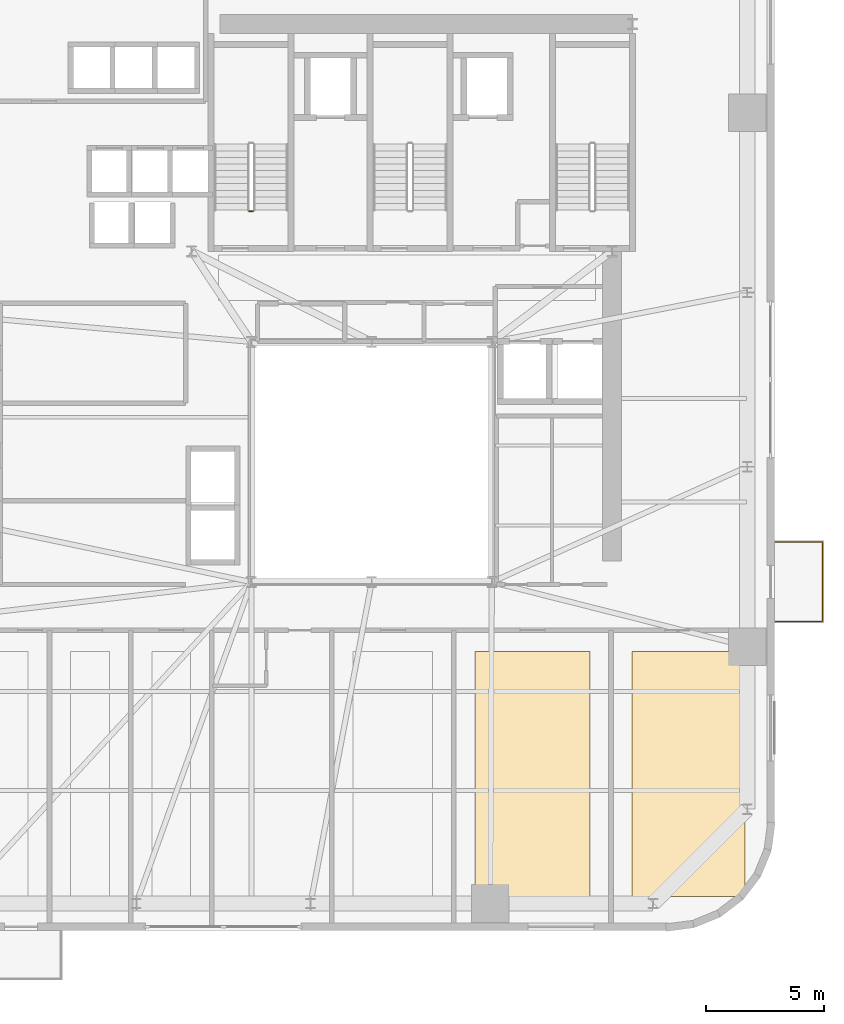
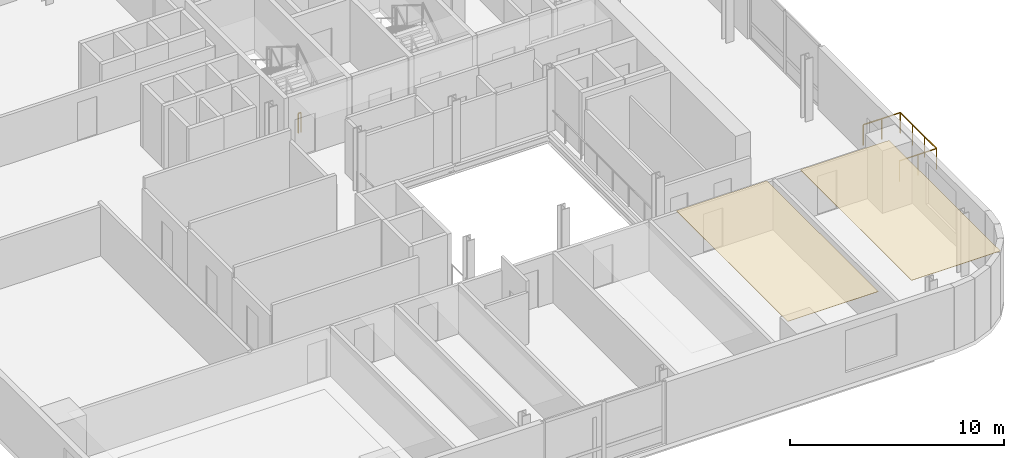
# One storey, part 11 of 14: 2 coverings, 2 railings.
"""IFC4 building model written with IfcOpenShell, lengths in metres."""

from ifc_helpers import new_model, si_unit, direction, frame, origin, origin_2d, place, context, subcontext, project, spatial, polyline, rectangle, outline, extrude, source, transform, mapped, material, layer, layer_set, type_object, element, save


model = new_model("IFC4")

# Units and contexts
model_context = context("Model", 3, precision=1e-05, world=origin(), true_north=direction((0.0, 1.0)))
body_context = subcontext(model_context, "Body", "Model", "MODEL_VIEW")
ifc_project = project(units=[si_unit("LENGTHUNIT", "METRE"), si_unit("AREAUNIT", "SQUARE_METRE"), si_unit("VOLUMEUNIT", "CUBIC_METRE"), si_unit("PLANEANGLEUNIT", "RADIAN"), si_unit("MASSUNIT", "GRAM", prefix="KILO")], contexts=[model_context])

# Site, building, storey
site_placement = place(None, origin())
site = spatial("IfcSite", under=ifc_project, at=site_placement, CompositionType="ELEMENT")
building_placement = place(site_placement, origin())
building = spatial("IfcBuilding", under=site, at=building_placement, Name="Vardaveli Station Tower", CompositionType="ELEMENT")
storey_placement = place(building_placement, frame((0.0, 0.0, 103.699951171875)))
storey = spatial("IfcBuildingStorey", under=building, at=storey_placement, Name="L26", CompositionType="ELEMENT", Elevation=103.699951171875)

# Coverings
ifc_material_1 = material(Name="Perforated acoustic mineral ceiling")
ifc_layer = layer(ifc_material_1, 0.02001953125, Name="Perforated acoustic mineral ceiling")
ifc_layer_set = layer_set([ifc_layer], Name="Perforated acoustic mineral ceiling")
covering_type = type_object("IfcCoveringType", Name="COV-CEIL-AC20", PredefinedType="CEILING", material=ifc_layer_set)
covering_1_placement = place(storey_placement, frame((0.0, 0.0, 3.545166015625)))
element("IfcCovering", 1, at=covering_1_placement, inside=storey, type_object=covering_type, Name="CEIL-L26-5", PredefinedType="CEILING", context=body_context, shape_type="SweptSolid", body=[
    extrude(outline(polyline([(40.685302734375, 3.25), (45.564208984375, 3.25), (45.564208984375, 13.64990234375), (40.685302734375, 13.64990234375), (40.685302734375, 3.25)])), origin(), (0.0, 0.0, 1.0), 0.019775390625),
])
covering_2_placement = place(storey_placement, frame((0.0, 0.0, 3.545166015625)))
element("IfcCovering", 2, at=covering_2_placement, inside=storey, type_object=covering_type, Name="CEIL-L26-6", PredefinedType="CEILING", context=body_context, shape_type="SweptSolid", body=[
    extrude(outline(polyline([(47.3642578125, 3.25), (52.14990234375, 3.25), (52.14990234375, 13.64990234375), (47.3642578125, 13.64990234375), (47.3642578125, 3.25)])), origin(), (0.0, 0.0, 1.0), 0.019775390625),
])

# Railings
ifc_material_2 = material(Name="Laminated glass and stainless steel balustrade", Category="steel")
railing_type_1 = type_object("IfcRailingType", Name="RL-BAL-1200", PredefinedType="BALUSTRADE", material=ifc_material_2)
shared_shape_1 = source(origin(), body_context, "Body", "SweptSolid", [
    extrude(rectangle(XDim=0.048095703125, YDim=0.048095703125, at=origin_2d()), frame((0.0, 0.0, 1.17578125), z_axis=(1.0, 0.0, 0.0), x_axis=(0.0, 1.0, 0.0)), (0.0, 0.0, 1.0), 2.0),
    extrude(rectangle(XDim=0.048095703125, YDim=0.048095703125, at=origin_2d()), frame((2.0, 0.0, 1.17578125), z_axis=(0.0, 1.0, 0.0), x_axis=(-1.0, 0.0, 0.0)), (0.0, 0.0, 1.0), 3.3798828125),
    extrude(rectangle(XDim=0.048095703125, YDim=0.048095703125, at=origin_2d()), frame((2.0, 3.3798828125, 1.17578125), z_axis=(-1.0, 0.0, 0.0), x_axis=(0.0, -1.0, 0.0)), (0.0, 0.0, 1.0), 2.0),
    extrude(rectangle(XDim=0.0419921875, YDim=0.0419921875, at=origin_2d()), origin(), (0.0, 0.0, 1.0), 1.15185546875),
    extrude(rectangle(XDim=0.0419921875, YDim=0.0419921875, at=origin_2d()), frame((1.0, 0.0, 0.0)), (0.0, 0.0, 1.0), 1.15185546875),
    extrude(rectangle(XDim=0.0419921875, YDim=0.0419921875, at=origin_2d()), frame((2.0, 0.0, 0.0)), (0.0, 0.0, 1.0), 1.15185546875),
    extrude(rectangle(XDim=0.0419921875, YDim=0.0419921875, at=origin_2d()), frame((2.0, 1.126708984375, 0.0)), (0.0, 0.0, 1.0), 1.15185546875),
    extrude(rectangle(XDim=0.0419921875, YDim=0.0419921875, at=origin_2d()), frame((2.0, 2.253173828125, 0.0)), (0.0, 0.0, 1.0), 1.15185546875),
    extrude(rectangle(XDim=0.0419921875, YDim=0.0419921875, at=origin_2d()), frame((2.0, 3.3798828125, 0.0)), (0.0, 0.0, 1.0), 1.15185546875),
    extrude(rectangle(XDim=0.0419921875, YDim=0.0419921875, at=origin_2d()), frame((1.0, 3.3798828125, 0.0)), (0.0, 0.0, 1.0), 1.15185546875),
    extrude(rectangle(XDim=0.0419921875, YDim=0.0419921875, at=origin_2d()), frame((0.0, 3.3798828125, 0.0)), (0.0, 0.0, 1.0), 1.15185546875),
])
railing_1_placement = place(storey_placement, frame((53.43994140625, 14.92041015625, 0.0)))
element("IfcRailing", 3, at=railing_1_placement, inside=storey, type_object=railing_type_1, Name="RL-LOG-L26-04", PredefinedType="BALUSTRADE", context=body_context, shape_type="MappedRepresentation", body=[
    mapped(shared_shape_1, transform((0.0, 0.0, 0.0), scale=1.0)),
])
ifc_material_3 = material(Name="Brushed AISI 316 stainless steel", Category="steel")
railing_type_2 = type_object("IfcRailingType", Name="RL-GUARD-1150", PredefinedType="GUARDRAIL", material=ifc_material_3)
shared_shape_2 = source(origin(), body_context, "Body", "SweptSolid", [
    extrude(rectangle(XDim=0.048095703125, YDim=0.048095703125, at=origin_2d()), frame((0.0, 0.0, 1.1259765625), z_axis=(-1.0, 0.0, 0.0), x_axis=(0.0, -1.0, 0.0)), (0.0, 0.0, 1.0), 0.14990234375),
    extrude(rectangle(XDim=0.0419921875, YDim=0.0419921875, at=origin_2d()), origin(), (0.0, 0.0, 1.0), 1.101806640625),
    extrude(rectangle(XDim=0.0419921875, YDim=0.0419921875, at=origin_2d()), frame((-0.14990234375, 0.0, 0.0)), (0.0, 0.0, 1.0), 1.101806640625),
])
railing_2_placement = place(storey_placement, frame((31.25, 32.35009765625, 0.0)))
element("IfcRailing", 4, at=railing_2_placement, inside=storey, type_object=railing_type_2, Name="L26 ST-1 stair guard 4", PredefinedType="GUARDRAIL", context=body_context, shape_type="MappedRepresentation", body=[
    mapped(shared_shape_2, transform((0.0, 0.0, 0.0), scale=1.0)),
])

save(model, "model.ifc")
